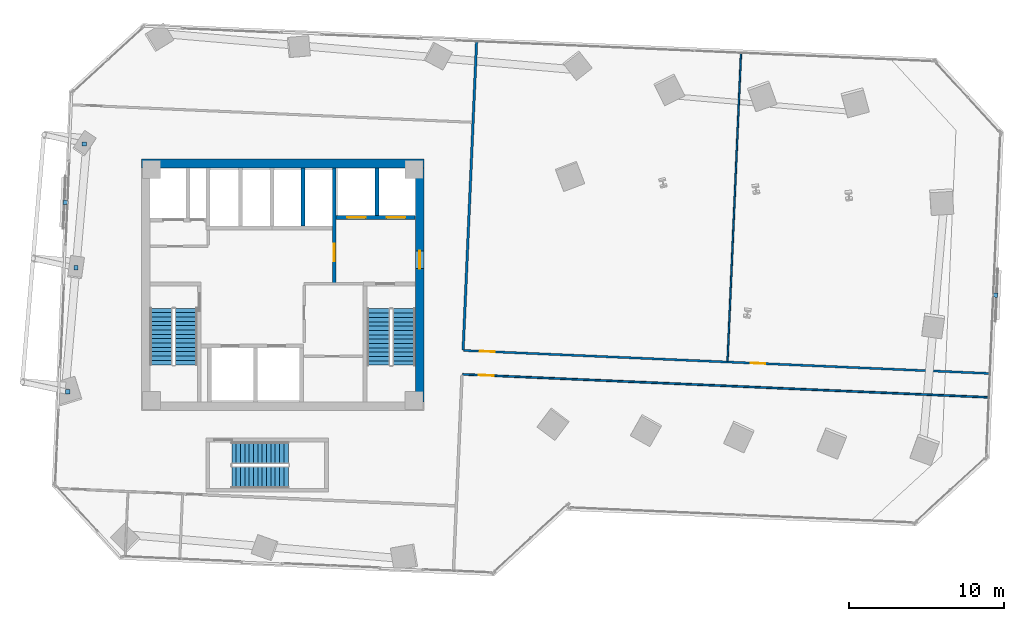
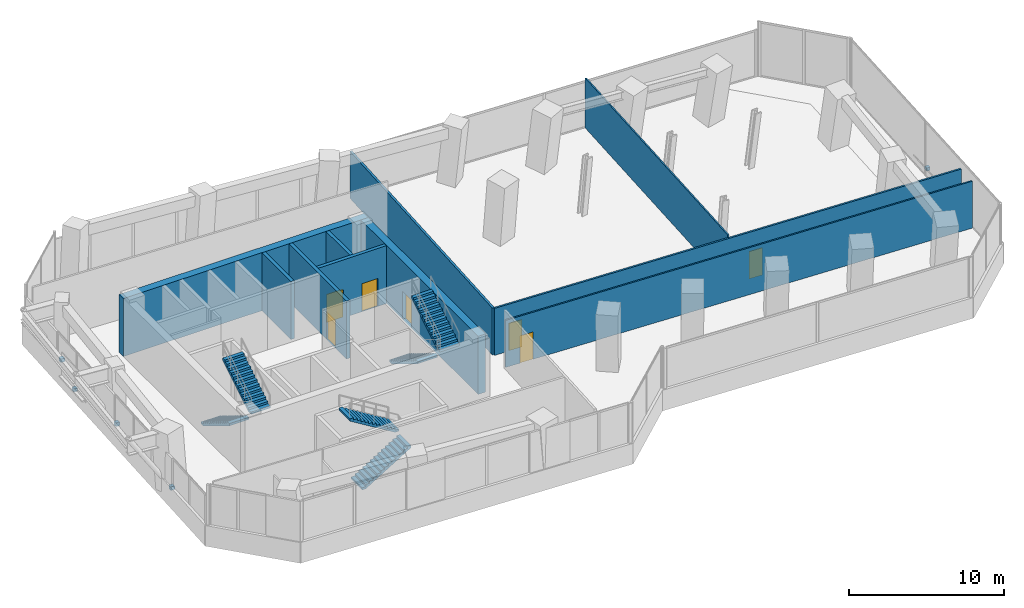
# One storey, part 23 of 26: 10 walls, 7 doors, 6 stair flights, 5 discrete accessories, 7 openings, 3 elements without a shape of their own.
"""IFC4 building model written with IfcOpenShell, lengths in metres."""

import ifcopenshell
import ifcopenshell.guid

model = None  # the IFC model being written
_history = None  # IfcOwnerHistory: only IFC2X3 demands one
_inside = {}  # id of a spatial element -> (the spatial element, [elements in it])
_under = {}  # id of a project, library or spatial element -> (it, [spatial elements below it])
_declared = {}  # id of a project -> (the project, [libraries it declares])
_typed = {}  # id of a type object -> (the type object, [elements of that type])
_made_of = {}  # id of a material, layer set ... -> (it, [elements and type objects made of it])


def new_model(schema):
    """Start an empty IFC model of exactly this schema.

    Asked for "IFC4X3", IfcOpenShell would pick the latest addendum, in which some entities
    have other attributes; the version numbers below select the first issue.
    IFC2X3 requires an IfcOwnerHistory on every rooted entity: one is made here for all.
    """
    global model, _history
    if schema == "IFC4X3":
        model = ifcopenshell.file(schema_version=(4, 3, 0, 0))
    else:
        model = ifcopenshell.file(schema=schema)
    _inside.clear()
    _under.clear()
    _declared.clear()
    _typed.clear()
    _made_of.clear()
    _history = None
    if model.schema == "IFC2X3":
        org = make("IfcOrganization", Name="unknown")
        user = make(
            "IfcPersonAndOrganization",
            ThePerson=make("IfcPerson", FamilyName="unknown"),
            TheOrganization=org,
        )
        app = make(
            "IfcApplication",
            ApplicationDeveloper=org,
            Version="unknown",
            ApplicationFullName="unknown",
            ApplicationIdentifier="unknown",
        )
        _history = make(
            "IfcOwnerHistory",
            OwningUser=user,
            OwningApplication=app,
            ChangeAction="ADDED",
            CreationDate=0,
        )
    return model


def make(cls, **values):
    """One entity of the class cls with the attributes given. An attribute that is None is left unset."""
    return model.create_entity(
        cls, **{name: value for name, value in values.items() if value is not None}
    )


def rooted(cls, **values):
    """An entity with a GlobalId (a new one), such as an element, a storey or a relation."""
    return make(cls, GlobalId=ifcopenshell.guid.new(), OwnerHistory=_history, **values)


def si_unit(unit_type, name, prefix=None):
    """IfcSIUnit, for example si_unit("LENGTHUNIT", "METRE", prefix="MILLI")."""
    return make("IfcSIUnit", UnitType=unit_type, Prefix=prefix, Name=name)


def assignment(units):
    """IfcUnitAssignment: the units of a project."""
    return None if units is None else make("IfcUnitAssignment", Units=units)


def point(xyz):
    """IfcCartesianPoint."""
    return None if xyz is None else make("IfcCartesianPoint", Coordinates=xyz)


def direction(xyz):
    """IfcDirection."""
    return None if xyz is None else make("IfcDirection", DirectionRatios=xyz)


def frame(location, z_axis=None, x_axis=None):
    """IfcAxis2Placement3D, a coordinate frame: its origin and axes. An axis left out is left unset."""
    return make(
        "IfcAxis2Placement3D",
        Location=point(location),
        Axis=direction(z_axis),
        RefDirection=direction(x_axis),
    )


def frame_2d(location, x_axis=None):
    """IfcAxis2Placement2D, a coordinate frame in the plane: its origin and x axis."""
    return make(
        "IfcAxis2Placement2D", Location=point(location), RefDirection=direction(x_axis)
    )


def origin():
    """The frame at (0, 0, 0) with its axes left unset."""
    return frame((0.0, 0.0, 0.0))


def origin_2d():
    """The frame at (0, 0) in the plane with its x axis left unset."""
    return frame_2d((0.0, 0.0))


def place(relative_to, where):
    """IfcLocalPlacement: puts the frame where relative to a parent placement (None: the world)."""
    return make(
        "IfcLocalPlacement", PlacementRelTo=relative_to, RelativePlacement=where
    )


def context(
    kind, dimensions, precision=None, world=None, true_north=None, identifier=None
):
    """IfcGeometricRepresentationContext, for example the 3D "Model" context."""
    return make(
        "IfcGeometricRepresentationContext",
        ContextIdentifier=identifier,
        ContextType=kind,
        CoordinateSpaceDimension=dimensions,
        Precision=precision,
        WorldCoordinateSystem=world,
        TrueNorth=true_north,
    )


def subcontext(parent, identifier, kind, view, scale=None):
    """IfcGeometricRepresentationSubContext, for example "Body" below "Model"."""
    return make(
        "IfcGeometricRepresentationSubContext",
        ContextIdentifier=identifier,
        ContextType=kind,
        ParentContext=parent,
        TargetScale=scale,
        TargetView=view,
    )


def project(units=None, contexts=None):
    """IfcProject with its units and contexts."""
    return rooted(
        "IfcProject",
        Name="project",
        RepresentationContexts=contexts,
        UnitsInContext=assignment(units),
    )


def spatial(cls, under=None, at=None, **own):
    """A site, building, storey or space (cls), placed at a placement, below another one or the project."""
    s = rooted(cls, ObjectPlacement=at, **own)
    if under is not None:
        _under.setdefault(under.id(), (under, []))[1].append(s)
    return s


def polyline(points):
    """IfcPolyline through the points."""
    return make("IfcPolyline", Points=[point(p) for p in points])


def profile(cls, at=None, kind="AREA", **sizes):
    """A parametric profile (cls). Its sizes go by their IFC names, for example OverallWidth=200.0."""
    return make(cls, ProfileType=kind, Position=at, **sizes)


def rectangle(**sizes):
    """IfcRectangleProfileDef."""
    return profile("IfcRectangleProfileDef", **sizes)


def outline(outer, holes=None, kind="AREA"):
    """IfcArbitraryClosedProfileDef: a profile drawn as a closed curve; with holes, ...WithVoids."""
    if holes is None:
        return make("IfcArbitraryClosedProfileDef", ProfileType=kind, OuterCurve=outer)
    return make(
        "IfcArbitraryProfileDefWithVoids",
        ProfileType=kind,
        OuterCurve=outer,
        InnerCurves=holes,
    )


def extrude(swept, where, along, depth):
    """IfcExtrudedAreaSolid: the profile swept, set in the frame where, extruded along a direction by depth."""
    return make(
        "IfcExtrudedAreaSolid",
        SweptArea=swept,
        Position=where,
        ExtrudedDirection=direction(along),
        Depth=depth,
    )


def shape(context_of_items, identifier, shape_type, items):
    """IfcShapeRepresentation: the items that make up one representation, for example the "Body"."""
    return make(
        "IfcShapeRepresentation",
        ContextOfItems=context_of_items,
        RepresentationIdentifier=identifier,
        RepresentationType=shape_type,
        Items=items,
    )


def source(mapping_origin, context_of_items, identifier, shape_type, items):
    """IfcRepresentationMap: a shape defined once, which mapped items show again and again."""
    return make(
        "IfcRepresentationMap",
        MappingOrigin=mapping_origin,
        MappedRepresentation=shape(context_of_items, identifier, shape_type, items),
    )


def transform(
    local_origin,
    x_axis=None,
    y_axis=None,
    z_axis=None,
    scale=None,
    scale2=None,
    scale3=None,
    uniform=True,
):
    """IfcCartesianTransformationOperator3D, or its non-uniform kind. x_axis, y_axis, z_axis: its Axis1, 2, 3."""
    if uniform:
        return make(
            "IfcCartesianTransformationOperator3D",
            Axis1=direction(x_axis),
            Axis2=direction(y_axis),
            LocalOrigin=point(local_origin),
            Scale=scale,
            Axis3=direction(z_axis),
        )
    return make(
        "IfcCartesianTransformationOperator3DnonUniform",
        Axis1=direction(x_axis),
        Axis2=direction(y_axis),
        LocalOrigin=point(local_origin),
        Scale=scale,
        Axis3=direction(z_axis),
        Scale2=scale2,
        Scale3=scale3,
    )


def mapped(mapping_source, mapping_target):
    """IfcMappedItem: shows the shape of a source again, moved by a transform."""
    return make(
        "IfcMappedItem", MappingSource=mapping_source, MappingTarget=mapping_target
    )


def material(Name=None, Category=None):
    """IfcMaterial."""
    return make("IfcMaterial", Name=Name, Category=Category)


def layer(
    of_material, thickness, ventilated=None, Name=None, Category=None, Priority=None
):
    """IfcMaterialLayer: one layer of a wall or slab, of a material (None: an air gap)."""
    return make(
        "IfcMaterialLayer",
        Material=of_material,
        LayerThickness=thickness,
        IsVentilated=ventilated,
        Name=Name,
        Category=Category,
        Priority=Priority,
    )


def layer_set(layers, Name=None):
    """IfcMaterialLayerSet."""
    return make("IfcMaterialLayerSet", MaterialLayers=layers, LayerSetName=Name)


def made_of(thing, what):
    """Note that an element or type object is made of a material, layer set ...; save() writes the relation."""
    if what is not None:
        _made_of.setdefault(what.id(), (what, []))[1].append(thing)
    return thing


def type_object(cls, material=None, **own):
    """A type object (cls), such as IfcWallType, which elements share."""
    return made_of(rooted(cls, **own), material)


def element(
    cls,
    number,
    at=None,
    inside=None,
    cuts=None,
    type_object=None,
    material=None,
    context=None,
    identifier="Body",
    shape_type=None,
    held_by="IfcProductDefinitionShape",
    body=None,
    shapes=None,
    **own,
):
    """One element of the class cls, such as IfcWall. Its Tag is "e" and its number.

    at: its placement. inside: the storey or other place that contains it. cuts: it is an
    opening in that element (IfcRelVoidsElement). A single representation is given by context,
    identifier, shape_type and body (its items); several are given by shapes. held_by: the class
    of the entity that holds the representations. save() writes the other relations.
    """
    e = rooted(cls, Tag="e%d" % number, ObjectPlacement=at, **own)
    if body is not None:
        shapes = [shape(context, identifier, shape_type, body)]
    if shapes is not None:
        e.Representation = make(held_by, Representations=shapes)
    if inside is not None:
        _inside.setdefault(inside.id(), (inside, []))[1].append(e)
    if cuts is not None:
        rooted(
            "IfcRelVoidsElement", RelatingBuildingElement=cuts, RelatedOpeningElement=e
        )
    if type_object is not None:
        _typed.setdefault(type_object.id(), (type_object, []))[1].append(e)
    return made_of(e, material)


def fill(opening, filler):
    """IfcRelFillsElement: the door or window that sits in an opening."""
    return rooted(
        "IfcRelFillsElement",
        RelatingOpeningElement=opening,
        RelatedBuildingElement=filler,
    )


def aggregate(whole, parts):
    """IfcRelAggregates: a whole, such as a stair, and the parts it consists of."""
    return rooted("IfcRelAggregates", RelatingObject=whole, RelatedObjects=parts)


def save(model, path):
    """Write the relations noted so far, then the file.

    IfcRelAggregates (storeys below a building ...), IfcRelContainedInSpatialStructure (elements
    in a storey), IfcRelDefinesByType, IfcRelAssociatesMaterial and IfcRelDeclares: one each for
    every whole, place, type object, material and project.
    """
    for whole, parts in _under.values():
        aggregate(whole, parts)
    for where, things in _inside.values():
        rooted(
            "IfcRelContainedInSpatialStructure",
            RelatedElements=things,
            RelatingStructure=where,
        )
    for kind, things in _typed.values():
        rooted("IfcRelDefinesByType", RelatedObjects=things, RelatingType=kind)
    for what, things in _made_of.values():
        rooted("IfcRelAssociatesMaterial", RelatedObjects=things, RelatingMaterial=what)
    for by, libraries in _declared.values():
        rooted("IfcRelDeclares", RelatingContext=by, RelatedDefinitions=libraries)
    model.write(path)


model = new_model("IFC4")

# Units and contexts
model_context = context("Model", 3, precision=1e-05, world=origin(), true_north=direction((0.0, 1.0)))
body_context = subcontext(model_context, "Body", "Model", "MODEL_VIEW")
ifc_project = project(units=[si_unit("LENGTHUNIT", "METRE"), si_unit("AREAUNIT", "SQUARE_METRE"), si_unit("VOLUMEUNIT", "CUBIC_METRE"), si_unit("PLANEANGLEUNIT", "RADIAN"), si_unit("MASSUNIT", "GRAM", prefix="KILO")], contexts=[model_context])

# Site, building, storey
site_placement = place(None, origin())
site = spatial("IfcSite", under=ifc_project, at=site_placement, CompositionType="ELEMENT")
building_placement = place(site_placement, origin())
building = spatial("IfcBuilding", under=site, at=building_placement, Name="Torre Montelarca", CompositionType="ELEMENT")
storey_placement = place(building_placement, frame((0.0, 0.0, 42.39990234375)))
storey = spatial("IfcBuildingStorey", under=building, at=storey_placement, Name="L09", CompositionType="ELEMENT", Elevation=42.39990234375)

# Wall, opening, door
ifc_material_1 = material(Name="Concrete C40/50", Category="concrete")
ifc_layer_1 = layer(ifc_material_1, 0.25, Name="Concrete C40/50", Category="concrete")
ifc_layer_set_1 = layer_set([ifc_layer_1], Name="Concrete C40/50")
wall_type_1 = type_object("IfcWallType", Name="CW-SHAFT-250", PredefinedType="SHEAR", material=ifc_layer_set_1)
wall_1_placement = place(storey_placement, frame((21.320068359375, 32.1201171875, 0.0), z_axis=(0.0, 0.0, 1.0), x_axis=(0.0, 1.0, 0.0)))
wall_1 = element("IfcWall", 1, at=wall_1_placement, inside=storey, type_object=wall_type_1, Name="L09 Core Shear Wall SH-FFL-W", PredefinedType="SHEAR", context=body_context, shape_type="SweptSolid", body=[
    extrude(rectangle(XDim=7.419921875, YDim=0.25, at=frame_2d((3.7099609375, 0.0))), origin(), (0.0, 0.0, 1.0), 4.56005859375),
])
opening_1_placement = place(wall_1_placement, frame((1.39990234375, 0.0, 0.0)))
opening_1 = element("IfcOpeningElement", 2, at=opening_1_placement, cuts=wall_1, Name="Opening FD-LB1", PredefinedType="OPENING", context=body_context, shape_type="SweptSolid", body=[
    extrude(rectangle(XDim=1.14990234375, YDim=2.199951171875, at=frame_2d((0.574951171875, 1.10009765625))), frame((0.0, 0.135009765625, 0.0), z_axis=(0.0, -1.0, 0.0), x_axis=(1.0, 0.0, 0.0)), (0.0, 0.0, 1.0), 0.27001953125),
])
ifc_material_2 = material(Name="Acoustic timber-veneered fire door", Category="wood")
door_type_1 = type_object("IfcDoorType", Name="DR-LOBBY-115", OperationType="NOTDEFINED", PredefinedType="DOOR", material=ifc_material_2)
shared_shape_1 = source(origin(), body_context, "Body", "SweptSolid", [
    extrude(rectangle(XDim=1.14990234375, YDim=2.199951171875, at=frame_2d((0.574951171875, 1.10009765625))), frame((0.0, 0.02490234375, 0.0), z_axis=(0.0, -1.0, 0.0), x_axis=(1.0, 0.0, 0.0)), (0.0, 0.0, 1.0), 0.050048828125),
])
door_1_placement = place(opening_1_placement, origin())
door_1 = element("IfcDoor", 3, at=door_1_placement, inside=storey, type_object=door_type_1, Name="L09 Lift Lobby to Firefighting Lobby Smoke Door", OperationType="SINGLE_SWING_LEFT", OverallHeight=2.199951171875, OverallWidth=1.14990234375, PredefinedType="DOOR", context=body_context, shape_type="MappedRepresentation", body=[
    mapped(shared_shape_1, transform((0.0, 0.0, 0.0), scale=1.0)),
])
fill(opening_1, door_1)

# Wall, openings, doors
wall_2_placement = place(storey_placement, frame((21.449951171875, 36.35009765625, 0.0), z_axis=(0.0, 0.0, 1.0), x_axis=(1.0, 0.0, 0.0)))
wall_2 = element("IfcWall", 4, at=wall_2_placement, inside=storey, type_object=wall_type_1, Name="L09 Core Shear Wall SH-FF-S", PredefinedType="SHEAR", context=body_context, shape_type="SweptSolid", body=[
    extrude(rectangle(XDim=5.090087890625, YDim=0.25, at=frame_2d((2.544921875, 0.0))), origin(), (0.0, 0.0, 1.0), 4.56005859375),
])
opening_2_placement = place(wall_2_placement, frame((0.699951171875, 0.0, 0.0)))
opening_2 = element("IfcOpeningElement", 5, at=opening_2_placement, cuts=wall_2, Name="Opening LD-120", PredefinedType="OPENING", context=body_context, shape_type="SweptSolid", body=[
    extrude(rectangle(XDim=1.199951171875, YDim=2.199951171875, at=frame_2d((0.60009765625, 1.10009765625))), frame((0.0, 0.135009765625, 0.0), z_axis=(0.0, -1.0, 0.0), x_axis=(1.0, 0.0, 0.0)), (0.0, 0.0, 1.0), 0.27001953125),
])
opening_3_placement = place(wall_2_placement, frame((3.25, 0.0, 0.0)))
opening_3 = element("IfcOpeningElement", 6, at=opening_3_placement, cuts=wall_2, Name="Opening LD-120", PredefinedType="OPENING", context=body_context, shape_type="SweptSolid", body=[
    extrude(rectangle(XDim=1.199951171875, YDim=2.199951171875, at=frame_2d((0.60009765625, 1.10009765625))), frame((0.0, 0.135009765625, 0.0), z_axis=(0.0, -1.0, 0.0), x_axis=(1.0, 0.0, 0.0)), (0.0, 0.0, 1.0), 0.27001953125),
])
ifc_material_3 = material(Name="Brushed stainless steel AISI 316", Category="steel")
door_type_2 = type_object("IfcDoorType", Name="DR-LIFT-120", OperationType="SLIDING_TO_RIGHT", PredefinedType="DOOR", material=ifc_material_3)
shared_shape_2 = source(origin(), body_context, "Body", "SweptSolid", [
    extrude(rectangle(XDim=1.199951171875, YDim=2.199951171875, at=frame_2d((0.60009765625, 1.10009765625))), frame((0.0, 0.02490234375, 0.0), z_axis=(0.0, -1.0, 0.0), x_axis=(1.0, 0.0, 0.0)), (0.0, 0.0, 1.0), 0.050048828125),
])
door_2_placement = place(opening_2_placement, origin())
door_2 = element("IfcDoor", 7, at=door_2_placement, inside=storey, type_object=door_type_2, Name="L09 Lift Landing Sliding Door FF-1", OperationType="SLIDING_TO_LEFT", OverallHeight=2.199951171875, OverallWidth=1.199951171875, PredefinedType="DOOR", context=body_context, shape_type="MappedRepresentation", body=[
    mapped(shared_shape_2, transform((0.0, 0.0, 0.0), scale=1.0)),
])
fill(opening_2, door_2)
door_3_placement = place(opening_3_placement, origin())
door_3 = element("IfcDoor", 8, at=door_3_placement, inside=storey, type_object=door_type_2, Name="L09 Lift Landing Sliding Door FF-2", OperationType="SLIDING_TO_RIGHT", OverallHeight=2.199951171875, OverallWidth=1.199951171875, PredefinedType="DOOR", context=body_context, shape_type="MappedRepresentation", body=[
    mapped(shared_shape_2, transform((0.0, 0.0, 0.0), scale=1.0)),
])
fill(opening_3, door_3)

# Walls
wall_3_placement = place(storey_placement, frame((24.080078125, 36.47998046875, 0.0), z_axis=(0.0, 0.0, 1.0), x_axis=(0.0, 1.0, 0.0)))
element("IfcWall", 9, at=wall_3_placement, inside=storey, type_object=wall_type_1, Name="L09 Core Shear Wall SH-FF-M", PredefinedType="SHEAR", context=body_context, shape_type="SweptSolid", body=[
    extrude(rectangle(XDim=3.06005859375, YDim=0.25, at=frame_2d((1.530029296875, 0.0))), origin(), (0.0, 0.0, 1.0), 4.56005859375),
])
wall_4_placement = place(storey_placement, frame((19.320068359375, 35.81005859375, 0.0), z_axis=(0.0, 0.0, 1.0), x_axis=(0.0, 1.0, 0.0)))
element("IfcWall", 10, at=wall_4_placement, inside=storey, type_object=wall_type_1, Name="L09 Core Shear Wall SH-PLH-M", PredefinedType="SHEAR", context=body_context, shape_type="SweptSolid", body=[
    extrude(rectangle(XDim=3.72998046875, YDim=0.25, at=frame_2d((1.864990234375, 0.0))), origin(), (0.0, 0.0, 1.0), 4.56005859375),
])

# Wall, opening, door
ifc_material_4 = material(Name="Concrete C70/85", Category="concrete")
ifc_layer_2 = layer(ifc_material_4, 0.550048828125, Name="Concrete C70/85", Category="concrete")
ifc_layer_set_2 = layer_set([ifc_layer_2], Name="Concrete C70/85")
wall_type_2 = type_object("IfcWallType", Name="CW-SHEAR-550", PredefinedType="SHEAR", material=ifc_layer_set_2)
wall_5_placement = place(storey_placement, frame((26.824951171875, 24.449951171875, 0.0), z_axis=(0.0, 0.0, 1.0), x_axis=(0.0, 1.0, 0.0)))
wall_5 = element("IfcWall", 11, at=wall_5_placement, inside=storey, type_object=wall_type_2, Name="L09 Core Shear Wall CW-E", PredefinedType="SHEAR", context=body_context, shape_type="SweptSolid", body=[
    extrude(rectangle(XDim=15.10009765625, YDim=0.550048828125, at=frame_2d((7.550048828125, 0.0))), origin(), (0.0, 0.0, 1.0), 4.56005859375),
])
opening_4_placement = place(wall_5_placement, frame((8.60009765625, 0.0, 0.0)))
opening_4 = element("IfcOpeningElement", 12, at=opening_4_placement, cuts=wall_5, Name="Opening FD-LB1", PredefinedType="OPENING", context=body_context, shape_type="SweptSolid", body=[
    extrude(rectangle(XDim=1.14990234375, YDim=2.199951171875, at=frame_2d((0.574951171875, 1.10009765625))), frame((0.0, 0.28515625, 0.0), z_axis=(0.0, -1.0, 0.0), x_axis=(1.0, 0.0, 0.0)), (0.0, 0.0, 1.0), 0.570068359375),
])
door_4_placement = place(opening_4_placement, origin())
door_4 = element("IfcDoor", 13, at=door_4_placement, inside=storey, type_object=door_type_1, Name="L09 Firefighting Lift Lobby Corridor Fire Door", OperationType="SINGLE_SWING_RIGHT", OverallHeight=2.199951171875, OverallWidth=1.14990234375, PredefinedType="DOOR", context=body_context, shape_type="MappedRepresentation", body=[
    mapped(shared_shape_1, transform((0.0, 0.0, 0.0), scale=1.0)),
])
fill(opening_4, door_4)

# Walls
wall_6_placement = place(storey_placement, frame((8.89990234375, 39.824951171875, 0.0), z_axis=(0.0, 0.0, 1.0), x_axis=(1.0, 0.0, 0.0)))
element("IfcWall", 14, at=wall_6_placement, inside=storey, type_object=wall_type_2, Name="L09 Core Shear Wall CW-N1", PredefinedType="SHEAR", context=body_context, shape_type="SweptSolid", body=[
    extrude(rectangle(XDim=18.2001953125, YDim=0.550048828125, at=frame_2d((9.10009765625, 0.0))), origin(), (0.0, 0.0, 1.0), 4.56005859375),
])
ifc_material_5 = material(Name="Gypsum plasterboard on steel stud", Category="steel")
ifc_layer_3 = layer(ifc_material_5, 0.159912109375, Name="Gypsum plasterboard on steel stud", Category="steel")
ifc_layer_set_3 = layer_set([ifc_layer_3], Name="Gypsum plasterboard on steel stud")
wall_type_3 = type_object("IfcWallType", Name="PW-FIRE-160", PredefinedType="PARTITIONING", material=ifc_layer_set_3)
wall_7_placement = place(storey_placement, frame((29.62548828125, 27.821533203125, 0.0), z_axis=(0.0, 0.0, 1.0), x_axis=(0.043623060059, 0.999048061222, 0.0)))
element("IfcWall", 15, at=wall_7_placement, inside=storey, type_object=wall_type_3, Name="L09 Interior Partition W-L09-ECN", PredefinedType="PARTITIONING", context=body_context, shape_type="SweptSolid", body=[
    extrude(rectangle(XDim=19.83984375, YDim=0.159912109375, at=frame_2d((9.919921875, 0.0))), origin(), (0.0, 0.0, 1.0), 3.695068359375),
])
ifc_material_6 = material(Name="Acoustic laminated glass partition", Category="glass")
ifc_layer_4 = layer(ifc_material_6, 0.10009765625, Name="Acoustic laminated glass partition", Category="glass")
ifc_layer_set_4 = layer_set([ifc_layer_4], Name="Acoustic laminated glass partition")
wall_type_4 = type_object("IfcWallType", Name="PW-GLAZ-100", PredefinedType="PARTITIONING", material=ifc_layer_set_4)
wall_8_placement = place(storey_placement, frame((46.6591796875, 27.077880859375, 0.0), z_axis=(0.0, 0.0, 1.0), x_axis=(0.043623060059, 0.999048061222, 0.0)))
element("IfcWall", 16, at=wall_8_placement, inside=storey, type_object=wall_type_4, Name="L09 Interior Partition W-L09-NEDIV-1", PredefinedType="PARTITIONING", context=body_context, shape_type="SweptSolid", body=[
    extrude(rectangle(XDim=19.83984375, YDim=0.10009765625, at=frame_2d((9.919921875, 0.0))), origin(), (0.0, 0.0, 1.0), 3.923095703125),
])

# Wall, opening, door
ifc_layer_5 = layer(ifc_material_5, 0.114990234375, Name="Gypsum plasterboard on steel stud", Category="steel")
ifc_layer_set_5 = layer_set([ifc_layer_5], Name="Gypsum plasterboard on steel stud")
wall_type_5 = type_object("IfcWallType", Name="PW-PART-115", PredefinedType="PARTITIONING", material=ifc_layer_set_5)
wall_9_placement = place(storey_placement, frame((29.5966796875, 26.241455078125, 0.0), z_axis=(0.0, 0.0, 1.0), x_axis=(0.999047941909, -0.043625792456, 0.0)))
wall_9 = element("IfcWall", 17, at=wall_9_placement, inside=storey, type_object=wall_type_5, Name="L09 Interior Partition W-L09-SE-N", PredefinedType="PARTITIONING", context=body_context, shape_type="SweptSolid", body=[
    extrude(rectangle(XDim=33.879638671875, YDim=0.114990234375, at=frame_2d((16.93994140625, 0.0))), origin(), (0.0, 0.0, 1.0), 3.695068359375),
])
opening_5_placement = place(wall_9_placement, frame((1.050048828125, 0.0, 0.0)))
opening_5 = element("IfcOpeningElement", 18, at=opening_5_placement, cuts=wall_9, Name="Opening ID-095", PredefinedType="OPENING", context=body_context, shape_type="SweptSolid", body=[
    extrude(rectangle(XDim=0.949951171875, YDim=2.14990234375, at=frame_2d((0.47509765625, 1.074951171875))), frame((0.0, 0.0673828125, 0.0), z_axis=(0.0, -1.0, 0.0), x_axis=(1.0, 0.0, 0.0)), (0.0, 0.0, 1.0), 0.135009765625),
])
ifc_material_7 = material(Name="Hardwood acoustic timber veneer", Category="wood")
door_type_3 = type_object("IfcDoorType", Name="DR-INT-095", OperationType="NOTDEFINED", PredefinedType="DOOR", material=ifc_material_7)
shared_shape_3 = source(origin(), body_context, "Body", "SweptSolid", [
    extrude(rectangle(XDim=0.949951171875, YDim=2.14990234375, at=frame_2d((0.47509765625, 1.074951171875))), frame((0.0, 0.02490234375, 0.0), z_axis=(0.0, -1.0, 0.0), x_axis=(1.0, 0.0, 0.0)), (0.0, 0.0, 1.0), 0.050048828125),
])
door_5_placement = place(opening_5_placement, origin())
door_5 = element("IfcDoor", 19, at=door_5_placement, inside=storey, type_object=door_type_3, Name="L09 Interior Door 10", OperationType="SINGLE_SWING_LEFT", OverallHeight=2.14990234375, OverallWidth=0.949951171875, PredefinedType="DOOR", context=body_context, shape_type="MappedRepresentation", body=[
    mapped(shared_shape_3, transform((0.0, 0.0, 0.0), scale=1.0)),
])
fill(opening_5, door_5)

# Wall, openings, doors
ifc_layer_6 = layer(ifc_material_5, 0.135009765625, Name="Gypsum plasterboard on steel stud", Category="steel")
ifc_layer_set_6 = layer_set([ifc_layer_6], Name="Gypsum plasterboard on steel stud")
wall_type_6 = type_object("IfcWallType", Name="PW-PART-135", PredefinedType="PARTITIONING", material=ifc_layer_set_6)
wall_10_placement = place(storey_placement, frame((29.663818359375, 27.77978515625, 0.0), z_axis=(0.0, 0.0, 1.0), x_axis=(0.999048269666, -0.043618286038, 0.0)))
wall_10 = element("IfcWall", 20, at=wall_10_placement, inside=storey, type_object=wall_type_6, Name="L09 Interior Partition W-L09-NE-S", PredefinedType="PARTITIONING", context=body_context, shape_type="SweptSolid", body=[
    extrude(rectangle(XDim=33.8798828125, YDim=0.135009765625, at=frame_2d((16.93994140625, 0.0))), origin(), (0.0, 0.0, 1.0), 3.695068359375),
])
opening_6_placement = place(wall_10_placement, frame((1.050048828125, 0.0, 0.0)))
opening_6 = element("IfcOpeningElement", 21, at=opening_6_placement, cuts=wall_10, Name="Opening ID-095", PredefinedType="OPENING", context=body_context, shape_type="SweptSolid", body=[
    extrude(rectangle(XDim=0.949951171875, YDim=2.14990234375, at=frame_2d((0.47509765625, 1.074951171875))), frame((0.0, 0.07763671875, 0.0), z_axis=(0.0, -1.0, 0.0), x_axis=(1.0, 0.0, 0.0)), (0.0, 0.0, 1.0), 0.155029296875),
])
opening_7_placement = place(wall_10_placement, frame((18.5, 0.0, 0.0)))
opening_7 = element("IfcOpeningElement", 22, at=opening_7_placement, cuts=wall_10, Name="Opening ID-095", PredefinedType="OPENING", context=body_context, shape_type="SweptSolid", body=[
    extrude(rectangle(XDim=0.949951171875, YDim=2.14990234375, at=frame_2d((0.47509765625, 1.074951171875))), frame((0.0, 0.07763671875, 0.0), z_axis=(0.0, -1.0, 0.0), x_axis=(1.0, 0.0, 0.0)), (0.0, 0.0, 1.0), 0.155029296875),
])
door_6_placement = place(opening_6_placement, origin())
door_6 = element("IfcDoor", 23, at=door_6_placement, inside=storey, type_object=door_type_3, Name="L09 Interior Door 08", OperationType="SINGLE_SWING_LEFT", OverallHeight=2.14990234375, OverallWidth=0.949951171875, PredefinedType="DOOR", context=body_context, shape_type="MappedRepresentation", body=[
    mapped(shared_shape_3, transform((0.0, 0.0, 0.0), scale=1.0)),
])
fill(opening_6, door_6)
door_7_placement = place(opening_7_placement, origin())
door_7 = element("IfcDoor", 24, at=door_7_placement, inside=storey, type_object=door_type_3, Name="L09 Interior Door 09", OperationType="SINGLE_SWING_RIGHT", OverallHeight=2.14990234375, OverallWidth=0.949951171875, PredefinedType="DOOR", context=body_context, shape_type="MappedRepresentation", body=[
    mapped(shared_shape_3, transform((0.0, 0.0, 0.0), scale=1.0)),
])
fill(opening_7, door_7)

# Stair, stair flights
stair_type_1 = type_object("IfcStairType", Name="ST-CORE-ST1", PredefinedType="HALF_TURN_STAIR", material=ifc_material_1)
stair_1_placement = place(storey_placement, origin())
stair_1 = element("IfcStair", 25, at=stair_1_placement, inside=storey, type_object=stair_type_1, Name="L09 Protected Exit Stair ST1", PredefinedType="HALF_TURN_STAIR")
stair_flight_type_1 = type_object("IfcStairFlightType", Name="SFL-CORE-ST1", PredefinedType="STRAIGHT", material=ifc_material_1)
stair_flight_1_placement = place(storey_placement, frame((10.175048828125, 30.5, 0.0), z_axis=(0.0, 0.0, 1.0), x_axis=(0.0, -1.0, 0.0)))
stair_flight_1 = element("IfcStairFlight", 26, at=stair_flight_1_placement, type_object=stair_flight_type_1, Name="ST1 flight 1", NumberOfRisers=14, NumberOfTreads=13, PredefinedType="STRAIGHT", RiserHeight=0.171428571, TreadLength=0.28, context=body_context, shape_type="SweptSolid", body=[
    extrude(outline(polyline([(0.0, 0.0), (0.0, 0.17138671875), (0.280029296875, 0.17138671875), (0.280029296875, 0.3427734375), (0.56005859375, 0.3427734375), (0.56005859375, 0.514404296875), (0.840087890625, 0.514404296875), (0.840087890625, 0.685791015625), (1.1201171875, 0.685791015625), (1.1201171875, 0.857177734375), (1.39990234375, 0.857177734375), (1.39990234375, 1.028564453125), (1.679931640625, 1.028564453125), (1.679931640625, 1.199951171875), (1.9599609375, 1.199951171875), (1.9599609375, 1.371337890625), (2.239990234375, 1.371337890625), (2.239990234375, 1.54296875), (2.52001953125, 1.54296875), (2.52001953125, 1.71435546875), (2.800048828125, 1.71435546875), (2.800048828125, 1.8857421875), (3.080078125, 1.8857421875), (3.080078125, 2.05712890625), (3.360107421875, 2.05712890625), (3.360107421875, 2.228515625), (3.639892578125, 2.228515625), (3.639892578125, 2.39990234375), (3.639892578125, 2.052734375), (0.287109375, 0.0), (0.0, 0.0)])), frame((0.0, 0.72509765625, 0.0), z_axis=(0.0, -1.0, 0.0), x_axis=(1.0, 0.0, 0.0)), (0.0, 0.0, 1.0), 1.449951171875),
])
stair_flight_2_placement = place(storey_placement, frame((11.77490234375, 26.860107421875, 2.400146484375), z_axis=(0.0, 0.0, 1.0), x_axis=(0.0, 1.0, 0.0)))
stair_flight_2 = element("IfcStairFlight", 27, at=stair_flight_2_placement, type_object=stair_flight_type_1, Name="ST1 flight 2", NumberOfRisers=14, NumberOfTreads=13, PredefinedType="STRAIGHT", RiserHeight=0.171428571, TreadLength=0.28, context=body_context, shape_type="SweptSolid", body=[
    extrude(outline(polyline([(0.0, 0.0), (0.0, 0.17138671875), (0.280029296875, 0.17138671875), (0.280029296875, 0.3427734375), (0.56005859375, 0.3427734375), (0.56005859375, 0.514404296875), (0.840087890625, 0.514404296875), (0.840087890625, 0.685791015625), (1.1201171875, 0.685791015625), (1.1201171875, 0.857177734375), (1.39990234375, 0.857177734375), (1.39990234375, 1.028564453125), (1.679931640625, 1.028564453125), (1.679931640625, 1.199951171875), (1.9599609375, 1.199951171875), (1.9599609375, 1.371337890625), (2.239990234375, 1.371337890625), (2.239990234375, 1.54296875), (2.52001953125, 1.54296875), (2.52001953125, 1.71435546875), (2.800048828125, 1.71435546875), (2.800048828125, 1.8857421875), (3.080078125, 1.8857421875), (3.080078125, 2.05712890625), (3.360107421875, 2.05712890625), (3.360107421875, 2.228515625), (3.639892578125, 2.228515625), (3.639892578125, 2.39990234375), (3.639892578125, 2.052734375), (0.287109375, 0.0), (0.0, 0.0)])), frame((0.0, 0.72509765625, 0.0), z_axis=(0.0, -1.0, 0.0), x_axis=(1.0, 0.0, 0.0)), (0.0, 0.0, 1.0), 1.449951171875),
])
aggregate(stair_1, [stair_flight_1, stair_flight_2])

stair_type_2 = type_object("IfcStairType", Name="ST-CORE-ST2", PredefinedType="HALF_TURN_STAIR", material=ifc_material_1)
stair_2_placement = place(storey_placement, origin())
stair_2 = element("IfcStair", 28, at=stair_2_placement, inside=storey, type_object=stair_type_2, Name="L09 Protected Exit Stair ST2", PredefinedType="HALF_TURN_STAIR")
stair_flight_type_2 = type_object("IfcStairFlightType", Name="SFL-CORE-ST2", PredefinedType="STRAIGHT", material=ifc_material_1)
stair_flight_3_placement = place(storey_placement, frame((24.179931640625, 30.469970703125, 0.0), z_axis=(0.0, 0.0, 1.0), x_axis=(0.0, -1.0, 0.0)))
stair_flight_3 = element("IfcStairFlight", 29, at=stair_flight_3_placement, type_object=stair_flight_type_2, Name="ST2 flight 1", NumberOfRisers=14, NumberOfTreads=13, PredefinedType="STRAIGHT", RiserHeight=0.171428571, TreadLength=0.28, context=body_context, shape_type="SweptSolid", body=[
    extrude(outline(polyline([(0.0, 0.0), (0.0, 0.17138671875), (0.280029296875, 0.17138671875), (0.280029296875, 0.3427734375), (0.56005859375, 0.3427734375), (0.56005859375, 0.514404296875), (0.840087890625, 0.514404296875), (0.840087890625, 0.685791015625), (1.1201171875, 0.685791015625), (1.1201171875, 0.857177734375), (1.39990234375, 0.857177734375), (1.39990234375, 1.028564453125), (1.679931640625, 1.028564453125), (1.679931640625, 1.199951171875), (1.9599609375, 1.199951171875), (1.9599609375, 1.371337890625), (2.239990234375, 1.371337890625), (2.239990234375, 1.54296875), (2.52001953125, 1.54296875), (2.52001953125, 1.71435546875), (2.800048828125, 1.71435546875), (2.800048828125, 1.8857421875), (3.080078125, 1.8857421875), (3.080078125, 2.05712890625), (3.360107421875, 2.05712890625), (3.360107421875, 2.228515625), (3.639892578125, 2.228515625), (3.639892578125, 2.39990234375), (3.639892578125, 2.052734375), (0.287109375, 0.0), (0.0, 0.0)])), frame((0.0, 0.739990234375, 0.0), z_axis=(0.0, -1.0, 0.0), x_axis=(1.0, 0.0, 0.0)), (0.0, 0.0, 1.0), 1.47998046875),
])
stair_flight_4_placement = place(storey_placement, frame((25.81005859375, 26.830078125, 2.400146484375), z_axis=(0.0, 0.0, 1.0), x_axis=(0.0, 1.0, 0.0)))
stair_flight_4 = element("IfcStairFlight", 30, at=stair_flight_4_placement, type_object=stair_flight_type_2, Name="ST2 flight 2", NumberOfRisers=14, NumberOfTreads=13, PredefinedType="STRAIGHT", RiserHeight=0.171428571, TreadLength=0.28, context=body_context, shape_type="SweptSolid", body=[
    extrude(outline(polyline([(0.0, 0.0), (0.0, 0.17138671875), (0.280029296875, 0.17138671875), (0.280029296875, 0.3427734375), (0.56005859375, 0.3427734375), (0.56005859375, 0.514404296875), (0.840087890625, 0.514404296875), (0.840087890625, 0.685791015625), (1.1201171875, 0.685791015625), (1.1201171875, 0.857177734375), (1.39990234375, 0.857177734375), (1.39990234375, 1.028564453125), (1.679931640625, 1.028564453125), (1.679931640625, 1.199951171875), (1.9599609375, 1.199951171875), (1.9599609375, 1.371337890625), (2.239990234375, 1.371337890625), (2.239990234375, 1.54296875), (2.52001953125, 1.54296875), (2.52001953125, 1.71435546875), (2.800048828125, 1.71435546875), (2.800048828125, 1.8857421875), (3.080078125, 1.8857421875), (3.080078125, 2.05712890625), (3.360107421875, 2.05712890625), (3.360107421875, 2.228515625), (3.639892578125, 2.228515625), (3.639892578125, 2.39990234375), (3.639892578125, 2.052734375), (0.287109375, 0.0), (0.0, 0.0)])), frame((0.0, 0.739990234375, 0.0), z_axis=(0.0, -1.0, 0.0), x_axis=(1.0, 0.0, 0.0)), (0.0, 0.0, 1.0), 1.47998046875),
])
aggregate(stair_2, [stair_flight_3, stair_flight_4])

stair_type_3 = type_object("IfcStairType", Name="ST-CORE-ST3", PredefinedType="HALF_TURN_STAIR", material=ifc_material_1)
stair_3_placement = place(storey_placement, origin())
stair_3 = element("IfcStair", 31, at=stair_3_placement, inside=storey, type_object=stair_type_3, Name="L09 Low-Rise Exit Stair ST3", PredefinedType="HALF_TURN_STAIR")
stair_flight_type_3 = type_object("IfcStairFlightType", Name="SFL-CORE-ST3", PredefinedType="STRAIGHT", material=ifc_material_1)
stair_flight_5_placement = place(storey_placement, frame((14.719970703125, 19.610107421875, 0.0), z_axis=(0.0, 0.0, 1.0), x_axis=(1.0, 0.0, 0.0)))
stair_flight_5 = element("IfcStairFlight", 32, at=stair_flight_5_placement, type_object=stair_flight_type_3, Name="ST3 flight 1", NumberOfRisers=14, NumberOfTreads=13, PredefinedType="STRAIGHT", RiserHeight=0.171428571, TreadLength=0.28, context=body_context, shape_type="SweptSolid", body=[
    extrude(outline(polyline([(0.0, 0.0), (0.0, 0.17138671875), (0.280029296875, 0.17138671875), (0.280029296875, 0.3427734375), (0.56005859375, 0.3427734375), (0.56005859375, 0.514404296875), (0.840087890625, 0.514404296875), (0.840087890625, 0.685791015625), (1.1201171875, 0.685791015625), (1.1201171875, 0.857177734375), (1.39990234375, 0.857177734375), (1.39990234375, 1.028564453125), (1.679931640625, 1.028564453125), (1.679931640625, 1.199951171875), (1.9599609375, 1.199951171875), (1.9599609375, 1.371337890625), (2.239990234375, 1.371337890625), (2.239990234375, 1.54296875), (2.52001953125, 1.54296875), (2.52001953125, 1.71435546875), (2.800048828125, 1.71435546875), (2.800048828125, 1.8857421875), (3.080078125, 1.8857421875), (3.080078125, 2.05712890625), (3.360107421875, 2.05712890625), (3.360107421875, 2.228515625), (3.639892578125, 2.228515625), (3.639892578125, 2.39990234375), (3.639892578125, 2.052734375), (0.287109375, 0.0), (0.0, 0.0)])), frame((0.0, 0.7099609375, 0.0), z_axis=(0.0, -1.0, 0.0), x_axis=(1.0, 0.0, 0.0)), (0.0, 0.0, 1.0), 1.419921875),
])
stair_flight_6_placement = place(storey_placement, frame((18.360107421875, 21.179931640625, 2.400146484375), z_axis=(0.0, 0.0, 1.0), x_axis=(-1.0, 0.0, 0.0)))
stair_flight_6 = element("IfcStairFlight", 33, at=stair_flight_6_placement, type_object=stair_flight_type_3, Name="ST3 flight 2", NumberOfRisers=14, NumberOfTreads=13, PredefinedType="STRAIGHT", RiserHeight=0.171428571, TreadLength=0.28, context=body_context, shape_type="SweptSolid", body=[
    extrude(outline(polyline([(0.0, 0.0), (0.0, 0.17138671875), (0.280029296875, 0.17138671875), (0.280029296875, 0.3427734375), (0.56005859375, 0.3427734375), (0.56005859375, 0.514404296875), (0.840087890625, 0.514404296875), (0.840087890625, 0.685791015625), (1.1201171875, 0.685791015625), (1.1201171875, 0.857177734375), (1.39990234375, 0.857177734375), (1.39990234375, 1.028564453125), (1.679931640625, 1.028564453125), (1.679931640625, 1.199951171875), (1.9599609375, 1.199951171875), (1.9599609375, 1.371337890625), (2.239990234375, 1.371337890625), (2.239990234375, 1.54296875), (2.52001953125, 1.54296875), (2.52001953125, 1.71435546875), (2.800048828125, 1.71435546875), (2.800048828125, 1.8857421875), (3.080078125, 1.8857421875), (3.080078125, 2.05712890625), (3.360107421875, 2.05712890625), (3.360107421875, 2.228515625), (3.639892578125, 2.228515625), (3.639892578125, 2.39990234375), (3.639892578125, 2.052734375), (0.287109375, 0.0), (0.0, 0.0)])), frame((0.0, 0.7099609375, 0.0), z_axis=(0.0, -1.0, 0.0), x_axis=(1.0, 0.0, 0.0)), (0.0, 0.0, 1.0), 1.419921875),
])
aggregate(stair_3, [stair_flight_5, stair_flight_6])

# Discrete accessories
ifc_material_8 = material(Name="Stainless steel AISI 316", Category="steel")
discrete_accessory_type = type_object("IfcDiscreteAccessoryType", Name="ACC-BRACKET-SS", PredefinedType="BRACKET", material=ifc_material_8)
shared_shape_4 = source(origin(), body_context, "Body", "SweptSolid", [
    extrude(rectangle(XDim=0.280029296875, YDim=0.280029296875, at=origin_2d()), origin(), (0.0, 0.0, 1.0), 0.280029296875),
])
for number, where, z_axis, x_axis, name in (
    (34, (4.162841796875, 25.119140625, 0.01025390625), (0.0, 0.0, 1.0), (1.0, 0.0, 0.0), "L10 Raker End Connection Bracket W1-FT"),
    (35, (4.68603515625, 33.10205078125, 0.01025390625), (0.0, 0.0, 1.0), (1.0, 0.0, 0.0), "L10 Raker End Connection Bracket W2-FT"),
    (36, (5.209228515625, 41.0849609375, 0.01025390625), (0.0, 0.0, 1.0), (1.0, 0.0, 0.0), "L10 Raker End Connection Bracket W3-FT"),
):
    element("IfcDiscreteAccessory", number, at=place(storey_placement, frame(where, z_axis=z_axis, x_axis=x_axis)), inside=storey, type_object=discrete_accessory_type, Name=name, PredefinedType="BRACKET", context=body_context, shape_type="MappedRepresentation", body=[
        mapped(shared_shape_4, transform((0.0, 0.0, 0.0), scale=1.0)),
    ])
shared_shape_5 = source(origin(), body_context, "Body", "SweptSolid", [
    extrude(rectangle(XDim=0.280029296875, YDim=0.260009765625, at=origin_2d()), origin(), (0.0, 0.0, 1.0), 0.239990234375),
])
for number, where, z_axis, x_axis, name in (
    (37, (63.931884765625, 31.348388671875, 0.39990234375), (0.0, 0.0, 1.0), (0.043619387365, 0.999048221582, 0.0), "L09 Solar Screen Support Bracket E6-1"),
    (38, (3.995361328125, 37.319091796875, 0.39990234375), (0.0, 0.0, 1.0), (-0.043617643697, -0.999048297711, 0.0), "L09 Solar Screen Support Bracket E10-1"),
):
    element("IfcDiscreteAccessory", number, at=place(storey_placement, frame(where, z_axis=z_axis, x_axis=x_axis)), inside=storey, type_object=discrete_accessory_type, Name=name, PredefinedType="BRACKET", context=body_context, shape_type="MappedRepresentation", body=[
        mapped(shared_shape_5, transform((0.0, 0.0, 0.0), scale=1.0)),
    ])

save(model, "model.ifc")
